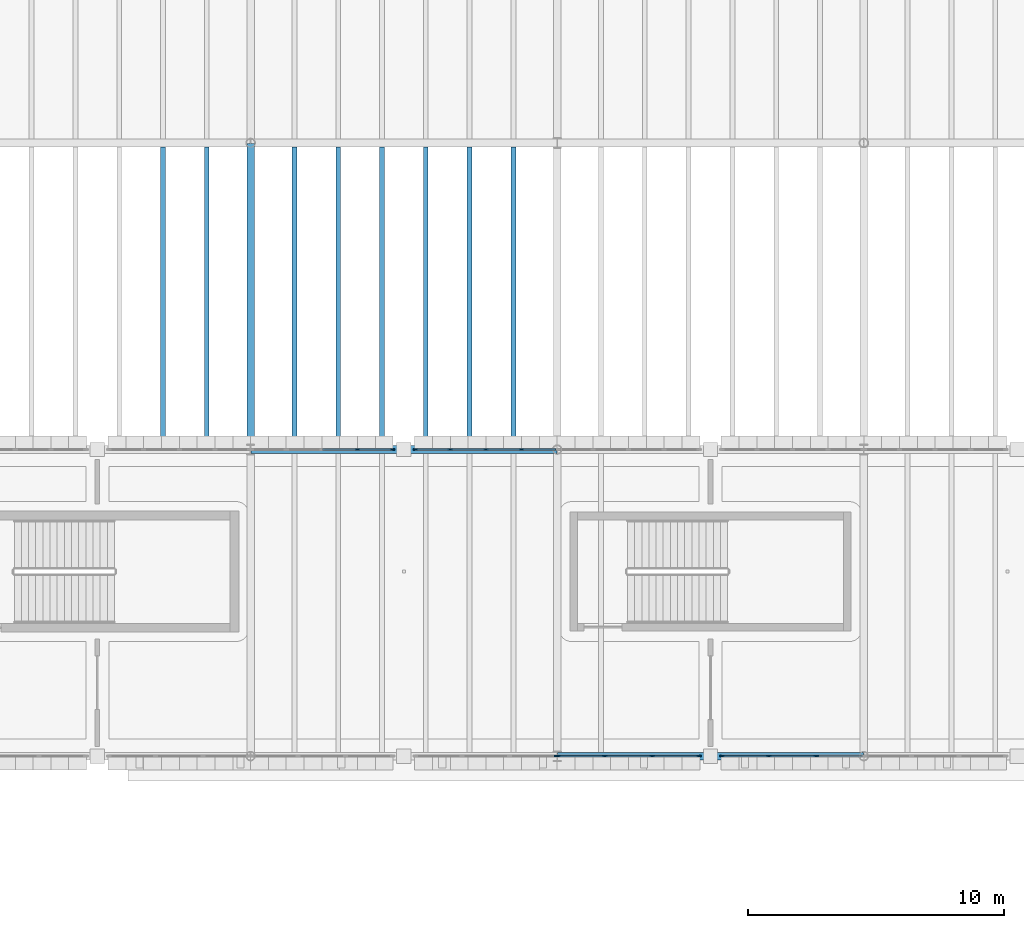
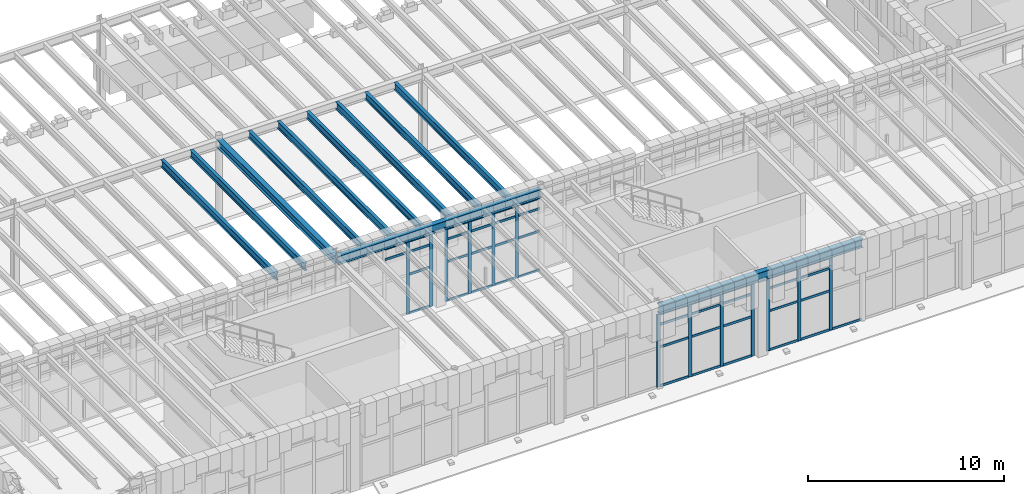
# One storey, part 32 of 100: 57 members, 11 beams, 5 elements without a shape of their own.
"""IFC4 building model written with IfcOpenShell, lengths in metres."""

from ifc_helpers import new_model, si_unit, direction, frame, origin, origin_2d, place, context, subcontext, project, spatial, rectangle, i_section, extrude, material, layer, layer_set, material_profile, profile_set, type_object, element, aggregate, save


model = new_model("IFC4")

# Units and contexts
model_context = context("Model", 3, precision=1e-05, world=origin(), true_north=direction((0.0, 1.0)))
body_context = subcontext(model_context, "Body", "Model", "MODEL_VIEW")
ifc_project = project(units=[si_unit("LENGTHUNIT", "METRE"), si_unit("AREAUNIT", "SQUARE_METRE"), si_unit("VOLUMEUNIT", "CUBIC_METRE"), si_unit("PLANEANGLEUNIT", "RADIAN"), si_unit("MASSUNIT", "GRAM", prefix="KILO")], contexts=[model_context])

# Site, building, storey
site_placement = place(None, origin())
site = spatial("IfcSite", under=ifc_project, at=site_placement, CompositionType="ELEMENT")
building_placement = place(site_placement, origin())
building = spatial("IfcBuilding", under=site, at=building_placement, Name="Zlatogorsky Bluff Art Gallery", CompositionType="ELEMENT")
storey_placement = place(building_placement, frame((0.0, 0.0, 5.39990234375)))
storey = spatial("IfcBuildingStorey", under=building, at=storey_placement, Name="L01", CompositionType="ELEMENT", Elevation=5.39990234375)

# Beams
ifc_material_1 = material(Name="Steel S355", Category="steel")
ifc_material_profile_1 = material_profile(ifc_material_1, i_section(OverallWidth=0.300048828125, OverallDepth=0.5400390625, WebThickness=0.012451171875, FlangeThickness=0.02392578125, FilletRadius=0.027099609375, at=origin_2d()), Name="HEA 550")
ifc_profile_set_1 = profile_set([ifc_material_profile_1], Name="Steel S355")
beam_type_1 = type_object("IfcBeamType", Name="Beam BM-06 HEA 550", PredefinedType="BEAM", material=ifc_profile_set_1)
for number, where, z_axis, x_axis, name in (
    (1, (84.014892578125, 96.0, 4.840087890625), (1.0, 0.0, 0.0), (0.0, 1.0, 0.0), "Primary girder BM-06 L01 H-J/10"),
    (2, (96.014892578125, 84.0, 4.840087890625), (1.0, 0.0, 0.0), (0.0, 1.0, 0.0), "Primary girder BM-06 L01 J-K/9"),
):
    element("IfcBeam", number, at=place(storey_placement, frame(where, z_axis=z_axis, x_axis=x_axis)), inside=storey, type_object=beam_type_1, Name=name, PredefinedType="BEAM", context=body_context, shape_type="SweptSolid", body=[
        extrude(i_section(OverallWidth=0.300048828125, OverallDepth=0.5400390625, WebThickness=0.012451171875, FlangeThickness=0.02392578125, FilletRadius=0.027099609375, at=origin_2d()), origin(), (0.0, 0.0, 1.0), 11.97021484375),
    ])
ifc_material_profile_2 = material_profile(ifc_material_1, i_section(OverallWidth=0.300048828125, OverallDepth=0.489990234375, WebThickness=0.011962890625, FlangeThickness=0.02294921875, FilletRadius=0.027099609375, at=origin_2d()), Name="HEA 500")
ifc_profile_set_2 = profile_set([ifc_material_profile_2], Name="Steel S355")
beam_type_2 = type_object("IfcBeamType", Name="Beam BM-07 HEA 500", PredefinedType="BEAM", material=ifc_profile_set_2)
beam_placement = place(storey_placement, frame((84.0, 96.014892578125, 4.864990234375), z_axis=(0.0, 1.0, 0.0), x_axis=(-1.0, 0.0, 0.0)))
element("IfcBeam", 3, at=beam_placement, inside=storey, type_object=beam_type_2, Name="Primary girder BM-07 L01 H/10-11", PredefinedType="BEAM", context=body_context, shape_type="SweptSolid", body=[
    extrude(i_section(OverallWidth=0.300048828125, OverallDepth=0.489990234375, WebThickness=0.011962890625, FlangeThickness=0.02294921875, FilletRadius=0.027099609375, at=origin_2d()), origin(), (0.0, 0.0, 1.0), 11.97021484375),
])
ifc_material_profile_3 = material_profile(ifc_material_1, i_section(OverallWidth=0.18994140625, OverallDepth=0.449951171875, WebThickness=0.009521484375, FlangeThickness=0.0146484375, FilletRadius=0.02099609375, at=origin_2d()), Name="IPE 450")
ifc_profile_set_3 = profile_set([ifc_material_profile_3], Name="Steel S355")
beam_type_3 = type_object("IfcBeamType", Name="Beam JS-06 IPE 450", PredefinedType="JOIST", material=ifc_profile_set_3)
for number, where, z_axis, x_axis, name in (
    (4, (80.571533203125, 96.14990234375, 4.885009765625), (0.0, 1.0, 0.0), (-1.0, 0.0, 0.0), "Composite floor joist JS-06 L01 06.09.5"),
    (5, (82.28564453125, 96.14990234375, 4.885009765625), (0.0, 1.0, 0.0), (-1.0, 0.0, 0.0), "Composite floor joist JS-06 L01 06.09.6"),
    (6, (85.71435546875, 96.14990234375, 4.885009765625), (0.0, 1.0, 0.0), (-1.0, 0.0, 0.0), "Composite floor joist JS-06 L01 07.09.1"),
    (7, (87.428466796875, 96.14990234375, 4.885009765625), (0.0, 1.0, 0.0), (-1.0, 0.0, 0.0), "Composite floor joist JS-06 L01 07.09.2"),
    (8, (89.142822265625, 96.14990234375, 4.885009765625), (0.0, 1.0, 0.0), (-1.0, 0.0, 0.0), "Composite floor joist JS-06 L01 07.09.3"),
    (9, (90.857177734375, 96.14990234375, 4.885009765625), (0.0, 1.0, 0.0), (-1.0, 0.0, 0.0), "Composite floor joist JS-06 L01 07.09.4"),
    (10, (92.571533203125, 96.14990234375, 4.885009765625), (0.0, 1.0, 0.0), (-1.0, 0.0, 0.0), "Composite floor joist JS-06 L01 07.09.5"),
    (11, (94.28564453125, 96.14990234375, 4.885009765625), (0.0, 1.0, 0.0), (-1.0, 0.0, 0.0), "Composite floor joist JS-06 L01 07.09.6"),
):
    element("IfcBeam", number, at=place(storey_placement, frame(where, z_axis=z_axis, x_axis=x_axis)), inside=storey, type_object=beam_type_3, Name=name, PredefinedType="JOIST", context=body_context, shape_type="SweptSolid", body=[
        extrude(i_section(OverallWidth=0.18994140625, OverallDepth=0.449951171875, WebThickness=0.009521484375, FlangeThickness=0.0146484375, FilletRadius=0.02099609375, at=origin_2d()), origin(), (0.0, 0.0, 1.0), 11.7001953125),
    ])

# Curtain wall, member
ifc_material_2 = material(Name="Anodised Bronze Aluminium and Low-Iron Triple Glazing", Category="aluminium")
ifc_layer_1 = layer(ifc_material_2, 0.219970703125)
ifc_layer_set_1 = layer_set([ifc_layer_1], Name="Curtain Wall CW-04")
curtain_wall_type_1 = type_object("IfcCurtainWallType", Name="Curtain Wall CW-04", PredefinedType="USERDEFINED", material=ifc_layer_set_1)
curtain_wall_1_placement = place(storey_placement, origin())
curtain_wall_1 = element("IfcCurtainWall", 12, at=curtain_wall_1_placement, inside=storey, type_object=curtain_wall_type_1, Name="Unitised curtain wall CW-04 L01 S 7.8-B", ObjectType="CURTAIN WALL", PredefinedType="USERDEFINED")
ifc_material_3 = material(Name="Anodised Bronze Aluminium", Category="aluminium")
ifc_material_profile_4 = material_profile(ifc_material_3, rectangle(XDim=0.06494140625, YDim=0.179931640625, at=origin_2d()), Name="ALU MULLION 65x180")
ifc_profile_set_4 = profile_set([ifc_material_profile_4], Name="Anodised Bronze Aluminium")
member_type_1 = type_object("IfcMemberType", Name="Curtain Mullion ML-01", PredefinedType="MULLION", material=ifc_profile_set_4)
member_1_placement = place(storey_placement, frame((95.967529296875, 84.0, 0.0), z_axis=(0.0, 0.0, 1.0), x_axis=(0.0, 1.0, 0.0)))
member_1 = element("IfcMember", 13, at=member_1_placement, type_object=member_type_1, Name="CW-04 mullion 4", PredefinedType="MULLION", context=body_context, shape_type="SweptSolid", body=[
    extrude(rectangle(XDim=0.06494140625, YDim=0.179931640625, at=origin_2d()), origin(), (0.0, 0.0, 1.0), 4.530029296875),
])
aggregate(curtain_wall_1, [member_1])

# Curtain wall, members
ifc_layer_2 = layer(ifc_material_2, 0.199951171875)
ifc_layer_set_2 = layer_set([ifc_layer_2], Name="Curtain Wall CW-02")
curtain_wall_type_2 = type_object("IfcCurtainWallType", Name="Curtain Wall CW-02", PredefinedType="USERDEFINED", material=ifc_layer_set_2)
curtain_wall_2_placement = place(storey_placement, origin())
curtain_wall_2 = element("IfcCurtainWall", 14, at=curtain_wall_2_placement, inside=storey, type_object=curtain_wall_type_2, Name="Unitised curtain wall CW-02 L01 N 7.8-A", ObjectType="CURTAIN WALL", PredefinedType="USERDEFINED")
member_2_placement = place(storey_placement, frame((94.60498046875, 96.0, 0.0), z_axis=(0.0, 0.0, 1.0), x_axis=(0.0, -1.0, 0.0)))
member_2 = element("IfcMember", 15, at=member_2_placement, type_object=member_type_1, Name="CW-02 mullion 2", PredefinedType="MULLION", context=body_context, shape_type="SweptSolid", body=[
    extrude(rectangle(XDim=0.06494140625, YDim=0.179931640625, at=origin_2d()), origin(), (0.0, 0.0, 1.0), 4.530029296875),
])
member_3_placement = place(storey_placement, frame((93.2099609375, 96.0, 0.0), z_axis=(0.0, 0.0, 1.0), x_axis=(0.0, -1.0, 0.0)))
member_3 = element("IfcMember", 16, at=member_3_placement, type_object=member_type_1, Name="CW-02 mullion 3", PredefinedType="MULLION", context=body_context, shape_type="SweptSolid", body=[
    extrude(rectangle(XDim=0.06494140625, YDim=0.179931640625, at=origin_2d()), origin(), (0.0, 0.0, 1.0), 4.530029296875),
])
member_4_placement = place(storey_placement, frame((91.81494140625, 96.0, 0.0), z_axis=(0.0, 0.0, 1.0), x_axis=(0.0, -1.0, 0.0)))
member_4 = element("IfcMember", 17, at=member_4_placement, type_object=member_type_1, Name="CW-02 mullion 4", PredefinedType="MULLION", context=body_context, shape_type="SweptSolid", body=[
    extrude(rectangle(XDim=0.06494140625, YDim=0.179931640625, at=origin_2d()), origin(), (0.0, 0.0, 1.0), 4.530029296875),
])
member_5_placement = place(storey_placement, frame((90.452392578125, 96.0, 0.0), z_axis=(0.0, 0.0, 1.0), x_axis=(0.0, -1.0, 0.0)))
member_5 = element("IfcMember", 18, at=member_5_placement, type_object=member_type_1, Name="CW-02 mullion 5", PredefinedType="MULLION", context=body_context, shape_type="SweptSolid", body=[
    extrude(rectangle(XDim=0.06494140625, YDim=0.179931640625, at=origin_2d()), origin(), (0.0, 0.0, 1.0), 4.530029296875),
])

curtain_wall_3_placement = place(storey_placement, origin())
curtain_wall_3 = element("IfcCurtainWall", 19, at=curtain_wall_3_placement, inside=storey, type_object=curtain_wall_type_2, Name="Unitised curtain wall CW-02 L01 N 7.8-B", ObjectType="CURTAIN WALL", PredefinedType="USERDEFINED")
member_6_placement = place(storey_placement, frame((89.547607421875, 96.0, 0.0), z_axis=(0.0, 0.0, 1.0), x_axis=(0.0, -1.0, 0.0)))
member_6 = element("IfcMember", 20, at=member_6_placement, type_object=member_type_1, Name="CW-02 mullion 1", PredefinedType="MULLION", context=body_context, shape_type="SweptSolid", body=[
    extrude(rectangle(XDim=0.06494140625, YDim=0.179931640625, at=origin_2d()), origin(), (0.0, 0.0, 1.0), 4.530029296875),
])
member_7_placement = place(storey_placement, frame((88.18505859375, 96.0, 0.0), z_axis=(0.0, 0.0, 1.0), x_axis=(0.0, -1.0, 0.0)))
member_7 = element("IfcMember", 21, at=member_7_placement, type_object=member_type_1, Name="CW-02 mullion 2", PredefinedType="MULLION", context=body_context, shape_type="SweptSolid", body=[
    extrude(rectangle(XDim=0.06494140625, YDim=0.179931640625, at=origin_2d()), origin(), (0.0, 0.0, 1.0), 4.530029296875),
])

curtain_wall_4_placement = place(storey_placement, origin())
curtain_wall_4 = element("IfcCurtainWall", 22, at=curtain_wall_4_placement, inside=storey, type_object=curtain_wall_type_1, Name="Unitised curtain wall CW-04 L01 S 8.8-A", ObjectType="CURTAIN WALL", PredefinedType="USERDEFINED")
member_8_placement = place(storey_placement, frame((96.032470703125, 84.0, 0.0), z_axis=(0.0, 0.0, 1.0), x_axis=(0.0, 1.0, 0.0)))
member_8 = element("IfcMember", 23, at=member_8_placement, type_object=member_type_1, Name="CW-04 mullion 1", PredefinedType="MULLION", context=body_context, shape_type="SweptSolid", body=[
    extrude(rectangle(XDim=0.06494140625, YDim=0.179931640625, at=origin_2d()), origin(), (0.0, 0.0, 1.0), 4.530029296875),
])
member_9_placement = place(storey_placement, frame((97.860107421875, 84.0, 0.0), z_axis=(0.0, 0.0, 1.0), x_axis=(0.0, 1.0, 0.0)))
member_9 = element("IfcMember", 24, at=member_9_placement, type_object=member_type_1, Name="CW-04 mullion 2", PredefinedType="MULLION", context=body_context, shape_type="SweptSolid", body=[
    extrude(rectangle(XDim=0.06494140625, YDim=0.179931640625, at=origin_2d()), origin(), (0.0, 0.0, 1.0), 4.530029296875),
])
member_10_placement = place(storey_placement, frame((99.719970703125, 84.0, 0.0), z_axis=(0.0, 0.0, 1.0), x_axis=(0.0, 1.0, 0.0)))
member_10 = element("IfcMember", 25, at=member_10_placement, type_object=member_type_1, Name="CW-04 mullion 3", PredefinedType="MULLION", context=body_context, shape_type="SweptSolid", body=[
    extrude(rectangle(XDim=0.06494140625, YDim=0.179931640625, at=origin_2d()), origin(), (0.0, 0.0, 1.0), 4.530029296875),
])
member_11_placement = place(storey_placement, frame((101.547607421875, 84.0, 0.0), z_axis=(0.0, 0.0, 1.0), x_axis=(0.0, 1.0, 0.0)))
member_11 = element("IfcMember", 26, at=member_11_placement, type_object=member_type_1, Name="CW-04 mullion 4", PredefinedType="MULLION", context=body_context, shape_type="SweptSolid", body=[
    extrude(rectangle(XDim=0.06494140625, YDim=0.179931640625, at=origin_2d()), origin(), (0.0, 0.0, 1.0), 4.530029296875),
])

curtain_wall_5_placement = place(storey_placement, origin())
curtain_wall_5 = element("IfcCurtainWall", 27, at=curtain_wall_5_placement, inside=storey, type_object=curtain_wall_type_1, Name="Unitised curtain wall CW-04 L01 S 8.8-B", ObjectType="CURTAIN WALL", PredefinedType="USERDEFINED")
member_12_placement = place(storey_placement, frame((102.452392578125, 84.0, 0.0), z_axis=(0.0, 0.0, 1.0), x_axis=(0.0, 1.0, 0.0)))
member_12 = element("IfcMember", 28, at=member_12_placement, type_object=member_type_1, Name="CW-04 mullion 1", PredefinedType="MULLION", context=body_context, shape_type="SweptSolid", body=[
    extrude(rectangle(XDim=0.06494140625, YDim=0.179931640625, at=origin_2d()), origin(), (0.0, 0.0, 1.0), 4.530029296875),
])
member_13_placement = place(storey_placement, frame((104.280029296875, 84.0, 0.0), z_axis=(0.0, 0.0, 1.0), x_axis=(0.0, 1.0, 0.0)))
member_13 = element("IfcMember", 29, at=member_13_placement, type_object=member_type_1, Name="CW-04 mullion 2", PredefinedType="MULLION", context=body_context, shape_type="SweptSolid", body=[
    extrude(rectangle(XDim=0.06494140625, YDim=0.179931640625, at=origin_2d()), origin(), (0.0, 0.0, 1.0), 4.530029296875),
])
member_14_placement = place(storey_placement, frame((106.139892578125, 84.0, 0.0), z_axis=(0.0, 0.0, 1.0), x_axis=(0.0, 1.0, 0.0)))
member_14 = element("IfcMember", 30, at=member_14_placement, type_object=member_type_1, Name="CW-04 mullion 3", PredefinedType="MULLION", context=body_context, shape_type="SweptSolid", body=[
    extrude(rectangle(XDim=0.06494140625, YDim=0.179931640625, at=origin_2d()), origin(), (0.0, 0.0, 1.0), 4.530029296875),
])

# Member
ifc_material_profile_5 = material_profile(ifc_material_3, rectangle(XDim=0.06494140625, YDim=0.139892578125, at=origin_2d()), Name="ALU TRANSOM 65x140")
ifc_profile_set_5 = profile_set([ifc_material_profile_5], Name="Anodised Bronze Aluminium")
member_type_2 = type_object("IfcMemberType", Name="Curtain Transom TR-01", PredefinedType="USERDEFINED", material=ifc_profile_set_5)
member_15_placement = place(storey_placement, frame((95.93505859375, 96.0, 0.03271484375), z_axis=(-1.0, 0.0, 0.0), x_axis=(0.0, -1.0, 0.0)))
member_15 = element("IfcMember", 31, at=member_15_placement, type_object=member_type_2, Name="CW-02 transom 1.1", ObjectType="TRANSOM", PredefinedType="USERDEFINED", context=body_context, shape_type="SweptSolid", body=[
    extrude(rectangle(XDim=0.06494140625, YDim=0.139892578125, at=origin_2d()), origin(), (0.0, 0.0, 1.0), 1.297607421875),
])

member_16_placement = place(storey_placement, frame((95.93505859375, 96.0, 2.4501953125), z_axis=(-1.0, 0.0, 0.0), x_axis=(0.0, -1.0, 0.0)))
member_16 = element("IfcMember", 32, at=member_16_placement, type_object=member_type_2, Name="CW-02 transom 1.2", ObjectType="TRANSOM", PredefinedType="USERDEFINED", context=body_context, shape_type="SweptSolid", body=[
    extrude(rectangle(XDim=0.06494140625, YDim=0.139892578125, at=origin_2d()), origin(), (0.0, 0.0, 1.0), 1.297607421875),
])

member_17_placement = place(storey_placement, frame((95.93505859375, 96.0, 3.85009765625), z_axis=(-1.0, 0.0, 0.0), x_axis=(0.0, -1.0, 0.0)))
member_17 = element("IfcMember", 33, at=member_17_placement, type_object=member_type_2, Name="CW-02 transom 1.3", ObjectType="TRANSOM", PredefinedType="USERDEFINED", context=body_context, shape_type="SweptSolid", body=[
    extrude(rectangle(XDim=0.06494140625, YDim=0.139892578125, at=origin_2d()), origin(), (0.0, 0.0, 1.0), 1.297607421875),
])

member_18_placement = place(storey_placement, frame((95.93505859375, 96.0, 4.49755859375), z_axis=(-1.0, 0.0, 0.0), x_axis=(0.0, -1.0, 0.0)))
member_18 = element("IfcMember", 34, at=member_18_placement, type_object=member_type_2, Name="CW-02 transom 1.4", ObjectType="TRANSOM", PredefinedType="USERDEFINED", context=body_context, shape_type="SweptSolid", body=[
    extrude(rectangle(XDim=0.06494140625, YDim=0.139892578125, at=origin_2d()), origin(), (0.0, 0.0, 1.0), 1.297607421875),
])

member_19_placement = place(storey_placement, frame((94.572509765625, 96.0, 0.03271484375), z_axis=(-1.0, 0.0, 0.0), x_axis=(0.0, -1.0, 0.0)))
member_19 = element("IfcMember", 35, at=member_19_placement, type_object=member_type_2, Name="CW-02 transom 2.1", ObjectType="TRANSOM", PredefinedType="USERDEFINED", context=body_context, shape_type="SweptSolid", body=[
    extrude(rectangle(XDim=0.06494140625, YDim=0.139892578125, at=origin_2d()), origin(), (0.0, 0.0, 1.0), 1.330078125),
])

member_20_placement = place(storey_placement, frame((94.572509765625, 96.0, 2.4501953125), z_axis=(-1.0, 0.0, 0.0), x_axis=(0.0, -1.0, 0.0)))
member_20 = element("IfcMember", 36, at=member_20_placement, type_object=member_type_2, Name="CW-02 transom 2.2", ObjectType="TRANSOM", PredefinedType="USERDEFINED", context=body_context, shape_type="SweptSolid", body=[
    extrude(rectangle(XDim=0.06494140625, YDim=0.139892578125, at=origin_2d()), origin(), (0.0, 0.0, 1.0), 1.330078125),
])

member_21_placement = place(storey_placement, frame((94.572509765625, 96.0, 3.85009765625), z_axis=(-1.0, 0.0, 0.0), x_axis=(0.0, -1.0, 0.0)))
member_21 = element("IfcMember", 37, at=member_21_placement, type_object=member_type_2, Name="CW-02 transom 2.3", ObjectType="TRANSOM", PredefinedType="USERDEFINED", context=body_context, shape_type="SweptSolid", body=[
    extrude(rectangle(XDim=0.06494140625, YDim=0.139892578125, at=origin_2d()), origin(), (0.0, 0.0, 1.0), 1.330078125),
])

member_22_placement = place(storey_placement, frame((94.572509765625, 96.0, 4.49755859375), z_axis=(-1.0, 0.0, 0.0), x_axis=(0.0, -1.0, 0.0)))
member_22 = element("IfcMember", 38, at=member_22_placement, type_object=member_type_2, Name="CW-02 transom 2.4", ObjectType="TRANSOM", PredefinedType="USERDEFINED", context=body_context, shape_type="SweptSolid", body=[
    extrude(rectangle(XDim=0.06494140625, YDim=0.139892578125, at=origin_2d()), origin(), (0.0, 0.0, 1.0), 1.330078125),
])

member_23_placement = place(storey_placement, frame((93.177490234375, 96.0, 0.03271484375), z_axis=(-1.0, 0.0, 0.0), x_axis=(0.0, -1.0, 0.0)))
member_23 = element("IfcMember", 39, at=member_23_placement, type_object=member_type_2, Name="CW-02 transom 3.1", ObjectType="TRANSOM", PredefinedType="USERDEFINED", context=body_context, shape_type="SweptSolid", body=[
    extrude(rectangle(XDim=0.06494140625, YDim=0.139892578125, at=origin_2d()), origin(), (0.0, 0.0, 1.0), 1.330078125),
])

member_24_placement = place(storey_placement, frame((93.177490234375, 96.0, 2.4501953125), z_axis=(-1.0, 0.0, 0.0), x_axis=(0.0, -1.0, 0.0)))
member_24 = element("IfcMember", 40, at=member_24_placement, type_object=member_type_2, Name="CW-02 transom 3.2", ObjectType="TRANSOM", PredefinedType="USERDEFINED", context=body_context, shape_type="SweptSolid", body=[
    extrude(rectangle(XDim=0.06494140625, YDim=0.139892578125, at=origin_2d()), origin(), (0.0, 0.0, 1.0), 1.330078125),
])

member_25_placement = place(storey_placement, frame((93.177490234375, 96.0, 3.85009765625), z_axis=(-1.0, 0.0, 0.0), x_axis=(0.0, -1.0, 0.0)))
member_25 = element("IfcMember", 41, at=member_25_placement, type_object=member_type_2, Name="CW-02 transom 3.3", ObjectType="TRANSOM", PredefinedType="USERDEFINED", context=body_context, shape_type="SweptSolid", body=[
    extrude(rectangle(XDim=0.06494140625, YDim=0.139892578125, at=origin_2d()), origin(), (0.0, 0.0, 1.0), 1.330078125),
])

member_26_placement = place(storey_placement, frame((93.177490234375, 96.0, 4.49755859375), z_axis=(-1.0, 0.0, 0.0), x_axis=(0.0, -1.0, 0.0)))
member_26 = element("IfcMember", 42, at=member_26_placement, type_object=member_type_2, Name="CW-02 transom 3.4", ObjectType="TRANSOM", PredefinedType="USERDEFINED", context=body_context, shape_type="SweptSolid", body=[
    extrude(rectangle(XDim=0.06494140625, YDim=0.139892578125, at=origin_2d()), origin(), (0.0, 0.0, 1.0), 1.330078125),
])

member_27_placement = place(storey_placement, frame((91.782470703125, 96.0, 0.03271484375), z_axis=(-1.0, 0.0, 0.0), x_axis=(0.0, -1.0, 0.0)))
member_27 = element("IfcMember", 43, at=member_27_placement, type_object=member_type_2, Name="CW-02 transom 4.1", ObjectType="TRANSOM", PredefinedType="USERDEFINED", context=body_context, shape_type="SweptSolid", body=[
    extrude(rectangle(XDim=0.06494140625, YDim=0.139892578125, at=origin_2d()), origin(), (0.0, 0.0, 1.0), 1.29736328125),
])

member_28_placement = place(storey_placement, frame((91.782470703125, 96.0, 2.4501953125), z_axis=(-1.0, 0.0, 0.0), x_axis=(0.0, -1.0, 0.0)))
member_28 = element("IfcMember", 44, at=member_28_placement, type_object=member_type_2, Name="CW-02 transom 4.2", ObjectType="TRANSOM", PredefinedType="USERDEFINED", context=body_context, shape_type="SweptSolid", body=[
    extrude(rectangle(XDim=0.06494140625, YDim=0.139892578125, at=origin_2d()), origin(), (0.0, 0.0, 1.0), 1.29736328125),
])

member_29_placement = place(storey_placement, frame((91.782470703125, 96.0, 3.85009765625), z_axis=(-1.0, 0.0, 0.0), x_axis=(0.0, -1.0, 0.0)))
member_29 = element("IfcMember", 45, at=member_29_placement, type_object=member_type_2, Name="CW-02 transom 4.3", ObjectType="TRANSOM", PredefinedType="USERDEFINED", context=body_context, shape_type="SweptSolid", body=[
    extrude(rectangle(XDim=0.06494140625, YDim=0.139892578125, at=origin_2d()), origin(), (0.0, 0.0, 1.0), 1.29736328125),
])

member_30_placement = place(storey_placement, frame((91.782470703125, 96.0, 4.49755859375), z_axis=(-1.0, 0.0, 0.0), x_axis=(0.0, -1.0, 0.0)))
member_30 = element("IfcMember", 46, at=member_30_placement, type_object=member_type_2, Name="CW-02 transom 4.4", ObjectType="TRANSOM", PredefinedType="USERDEFINED", context=body_context, shape_type="SweptSolid", body=[
    extrude(rectangle(XDim=0.06494140625, YDim=0.139892578125, at=origin_2d()), origin(), (0.0, 0.0, 1.0), 1.29736328125),
])

aggregate(curtain_wall_2, [member_2, member_3, member_4, member_5, member_15, member_16, member_17, member_18, member_19, member_20, member_21, member_22, member_23, member_24, member_25, member_26, member_27, member_28, member_29, member_30])

member_31_placement = place(storey_placement, frame((89.514892578125, 96.0, 0.03271484375), z_axis=(-1.0, 0.0, 0.0), x_axis=(0.0, -1.0, 0.0)))
member_31 = element("IfcMember", 47, at=member_31_placement, type_object=member_type_2, Name="CW-02 transom 1.1", ObjectType="TRANSOM", PredefinedType="USERDEFINED", context=body_context, shape_type="SweptSolid", body=[
    extrude(rectangle(XDim=0.06494140625, YDim=0.139892578125, at=origin_2d()), origin(), (0.0, 0.0, 1.0), 1.29736328125),
])

member_32_placement = place(storey_placement, frame((89.514892578125, 96.0, 2.4501953125), z_axis=(-1.0, 0.0, 0.0), x_axis=(0.0, -1.0, 0.0)))
member_32 = element("IfcMember", 48, at=member_32_placement, type_object=member_type_2, Name="CW-02 transom 1.2", ObjectType="TRANSOM", PredefinedType="USERDEFINED", context=body_context, shape_type="SweptSolid", body=[
    extrude(rectangle(XDim=0.06494140625, YDim=0.139892578125, at=origin_2d()), origin(), (0.0, 0.0, 1.0), 1.29736328125),
])

member_33_placement = place(storey_placement, frame((89.514892578125, 96.0, 3.85009765625), z_axis=(-1.0, 0.0, 0.0), x_axis=(0.0, -1.0, 0.0)))
member_33 = element("IfcMember", 49, at=member_33_placement, type_object=member_type_2, Name="CW-02 transom 1.3", ObjectType="TRANSOM", PredefinedType="USERDEFINED", context=body_context, shape_type="SweptSolid", body=[
    extrude(rectangle(XDim=0.06494140625, YDim=0.139892578125, at=origin_2d()), origin(), (0.0, 0.0, 1.0), 1.29736328125),
])

member_34_placement = place(storey_placement, frame((89.514892578125, 96.0, 4.49755859375), z_axis=(-1.0, 0.0, 0.0), x_axis=(0.0, -1.0, 0.0)))
member_34 = element("IfcMember", 50, at=member_34_placement, type_object=member_type_2, Name="CW-02 transom 1.4", ObjectType="TRANSOM", PredefinedType="USERDEFINED", context=body_context, shape_type="SweptSolid", body=[
    extrude(rectangle(XDim=0.06494140625, YDim=0.139892578125, at=origin_2d()), origin(), (0.0, 0.0, 1.0), 1.29736328125),
])

member_35_placement = place(storey_placement, frame((88.152587890625, 96.0, 3.85009765625), z_axis=(-1.0, 0.0, 0.0), x_axis=(0.0, -1.0, 0.0)))
member_35 = element("IfcMember", 51, at=member_35_placement, type_object=member_type_2, Name="CW-02 transom 2.3", ObjectType="TRANSOM", PredefinedType="USERDEFINED", context=body_context, shape_type="SweptSolid", body=[
    extrude(rectangle(XDim=0.06494140625, YDim=0.139892578125, at=origin_2d()), origin(), (0.0, 0.0, 1.0), 1.330078125),
])

member_36_placement = place(storey_placement, frame((88.152587890625, 96.0, 4.49755859375), z_axis=(-1.0, 0.0, 0.0), x_axis=(0.0, -1.0, 0.0)))
member_36 = element("IfcMember", 52, at=member_36_placement, type_object=member_type_2, Name="CW-02 transom 2.4", ObjectType="TRANSOM", PredefinedType="USERDEFINED", context=body_context, shape_type="SweptSolid", body=[
    extrude(rectangle(XDim=0.06494140625, YDim=0.139892578125, at=origin_2d()), origin(), (0.0, 0.0, 1.0), 1.330078125),
])

aggregate(curtain_wall_3, [member_6, member_7, member_31, member_32, member_33, member_34, member_35, member_36])

member_37_placement = place(storey_placement, frame((96.06494140625, 84.0, 0.03271484375), z_axis=(1.0, 0.0, 0.0), x_axis=(0.0, 1.0, 0.0)))
member_37 = element("IfcMember", 53, at=member_37_placement, type_object=member_type_2, Name="CW-04 transom 1.1", ObjectType="TRANSOM", PredefinedType="USERDEFINED", context=body_context, shape_type="SweptSolid", body=[
    extrude(rectangle(XDim=0.06494140625, YDim=0.139892578125, at=origin_2d()), origin(), (0.0, 0.0, 1.0), 1.762451171875),
])

member_38_placement = place(storey_placement, frame((96.06494140625, 84.0, 2.4501953125), z_axis=(1.0, 0.0, 0.0), x_axis=(0.0, 1.0, 0.0)))
member_38 = element("IfcMember", 54, at=member_38_placement, type_object=member_type_2, Name="CW-04 transom 1.2", ObjectType="TRANSOM", PredefinedType="USERDEFINED", context=body_context, shape_type="SweptSolid", body=[
    extrude(rectangle(XDim=0.06494140625, YDim=0.139892578125, at=origin_2d()), origin(), (0.0, 0.0, 1.0), 1.762451171875),
])

member_39_placement = place(storey_placement, frame((96.06494140625, 84.0, 3.85009765625), z_axis=(1.0, 0.0, 0.0), x_axis=(0.0, 1.0, 0.0)))
member_39 = element("IfcMember", 55, at=member_39_placement, type_object=member_type_2, Name="CW-04 transom 1.3", ObjectType="TRANSOM", PredefinedType="USERDEFINED", context=body_context, shape_type="SweptSolid", body=[
    extrude(rectangle(XDim=0.06494140625, YDim=0.139892578125, at=origin_2d()), origin(), (0.0, 0.0, 1.0), 1.762451171875),
])

member_40_placement = place(storey_placement, frame((96.06494140625, 84.0, 4.49755859375), z_axis=(1.0, 0.0, 0.0), x_axis=(0.0, 1.0, 0.0)))
member_40 = element("IfcMember", 56, at=member_40_placement, type_object=member_type_2, Name="CW-04 transom 1.4", ObjectType="TRANSOM", PredefinedType="USERDEFINED", context=body_context, shape_type="SweptSolid", body=[
    extrude(rectangle(XDim=0.06494140625, YDim=0.139892578125, at=origin_2d()), origin(), (0.0, 0.0, 1.0), 1.762451171875),
])

member_41_placement = place(storey_placement, frame((97.892578125, 84.0, 0.03271484375), z_axis=(1.0, 0.0, 0.0), x_axis=(0.0, 1.0, 0.0)))
member_41 = element("IfcMember", 57, at=member_41_placement, type_object=member_type_2, Name="CW-04 transom 2.1", ObjectType="TRANSOM", PredefinedType="USERDEFINED", context=body_context, shape_type="SweptSolid", body=[
    extrude(rectangle(XDim=0.06494140625, YDim=0.139892578125, at=origin_2d()), origin(), (0.0, 0.0, 1.0), 1.794921875),
])

member_42_placement = place(storey_placement, frame((97.892578125, 84.0, 2.4501953125), z_axis=(1.0, 0.0, 0.0), x_axis=(0.0, 1.0, 0.0)))
member_42 = element("IfcMember", 58, at=member_42_placement, type_object=member_type_2, Name="CW-04 transom 2.2", ObjectType="TRANSOM", PredefinedType="USERDEFINED", context=body_context, shape_type="SweptSolid", body=[
    extrude(rectangle(XDim=0.06494140625, YDim=0.139892578125, at=origin_2d()), origin(), (0.0, 0.0, 1.0), 1.794921875),
])

member_43_placement = place(storey_placement, frame((97.892578125, 84.0, 3.85009765625), z_axis=(1.0, 0.0, 0.0), x_axis=(0.0, 1.0, 0.0)))
member_43 = element("IfcMember", 59, at=member_43_placement, type_object=member_type_2, Name="CW-04 transom 2.3", ObjectType="TRANSOM", PredefinedType="USERDEFINED", context=body_context, shape_type="SweptSolid", body=[
    extrude(rectangle(XDim=0.06494140625, YDim=0.139892578125, at=origin_2d()), origin(), (0.0, 0.0, 1.0), 1.794921875),
])

member_44_placement = place(storey_placement, frame((97.892578125, 84.0, 4.49755859375), z_axis=(1.0, 0.0, 0.0), x_axis=(0.0, 1.0, 0.0)))
member_44 = element("IfcMember", 60, at=member_44_placement, type_object=member_type_2, Name="CW-04 transom 2.4", ObjectType="TRANSOM", PredefinedType="USERDEFINED", context=body_context, shape_type="SweptSolid", body=[
    extrude(rectangle(XDim=0.06494140625, YDim=0.139892578125, at=origin_2d()), origin(), (0.0, 0.0, 1.0), 1.794921875),
])

member_45_placement = place(storey_placement, frame((99.75244140625, 84.0, 0.03271484375), z_axis=(1.0, 0.0, 0.0), x_axis=(0.0, 1.0, 0.0)))
member_45 = element("IfcMember", 61, at=member_45_placement, type_object=member_type_2, Name="CW-04 transom 3.1", ObjectType="TRANSOM", PredefinedType="USERDEFINED", context=body_context, shape_type="SweptSolid", body=[
    extrude(rectangle(XDim=0.06494140625, YDim=0.139892578125, at=origin_2d()), origin(), (0.0, 0.0, 1.0), 1.762451171875),
])

member_46_placement = place(storey_placement, frame((99.75244140625, 84.0, 2.4501953125), z_axis=(1.0, 0.0, 0.0), x_axis=(0.0, 1.0, 0.0)))
member_46 = element("IfcMember", 62, at=member_46_placement, type_object=member_type_2, Name="CW-04 transom 3.2", ObjectType="TRANSOM", PredefinedType="USERDEFINED", context=body_context, shape_type="SweptSolid", body=[
    extrude(rectangle(XDim=0.06494140625, YDim=0.139892578125, at=origin_2d()), origin(), (0.0, 0.0, 1.0), 1.762451171875),
])

member_47_placement = place(storey_placement, frame((99.75244140625, 84.0, 3.85009765625), z_axis=(1.0, 0.0, 0.0), x_axis=(0.0, 1.0, 0.0)))
member_47 = element("IfcMember", 63, at=member_47_placement, type_object=member_type_2, Name="CW-04 transom 3.3", ObjectType="TRANSOM", PredefinedType="USERDEFINED", context=body_context, shape_type="SweptSolid", body=[
    extrude(rectangle(XDim=0.06494140625, YDim=0.139892578125, at=origin_2d()), origin(), (0.0, 0.0, 1.0), 1.762451171875),
])

member_48_placement = place(storey_placement, frame((99.75244140625, 84.0, 4.49755859375), z_axis=(1.0, 0.0, 0.0), x_axis=(0.0, 1.0, 0.0)))
member_48 = element("IfcMember", 64, at=member_48_placement, type_object=member_type_2, Name="CW-04 transom 3.4", ObjectType="TRANSOM", PredefinedType="USERDEFINED", context=body_context, shape_type="SweptSolid", body=[
    extrude(rectangle(XDim=0.06494140625, YDim=0.139892578125, at=origin_2d()), origin(), (0.0, 0.0, 1.0), 1.762451171875),
])

aggregate(curtain_wall_4, [member_8, member_9, member_10, member_11, member_37, member_38, member_39, member_40, member_41, member_42, member_43, member_44, member_45, member_46, member_47, member_48])

member_49_placement = place(storey_placement, frame((102.485107421875, 84.0, 0.03271484375), z_axis=(1.0, 0.0, 0.0), x_axis=(0.0, 1.0, 0.0)))
member_49 = element("IfcMember", 65, at=member_49_placement, type_object=member_type_2, Name="CW-04 transom 1.1", ObjectType="TRANSOM", PredefinedType="USERDEFINED", context=body_context, shape_type="SweptSolid", body=[
    extrude(rectangle(XDim=0.06494140625, YDim=0.139892578125, at=origin_2d()), origin(), (0.0, 0.0, 1.0), 1.762451171875),
])

member_50_placement = place(storey_placement, frame((102.485107421875, 84.0, 2.4501953125), z_axis=(1.0, 0.0, 0.0), x_axis=(0.0, 1.0, 0.0)))
member_50 = element("IfcMember", 66, at=member_50_placement, type_object=member_type_2, Name="CW-04 transom 1.2", ObjectType="TRANSOM", PredefinedType="USERDEFINED", context=body_context, shape_type="SweptSolid", body=[
    extrude(rectangle(XDim=0.06494140625, YDim=0.139892578125, at=origin_2d()), origin(), (0.0, 0.0, 1.0), 1.762451171875),
])

member_51_placement = place(storey_placement, frame((102.485107421875, 84.0, 3.85009765625), z_axis=(1.0, 0.0, 0.0), x_axis=(0.0, 1.0, 0.0)))
member_51 = element("IfcMember", 67, at=member_51_placement, type_object=member_type_2, Name="CW-04 transom 1.3", ObjectType="TRANSOM", PredefinedType="USERDEFINED", context=body_context, shape_type="SweptSolid", body=[
    extrude(rectangle(XDim=0.06494140625, YDim=0.139892578125, at=origin_2d()), origin(), (0.0, 0.0, 1.0), 1.762451171875),
])

member_52_placement = place(storey_placement, frame((102.485107421875, 84.0, 4.49755859375), z_axis=(1.0, 0.0, 0.0), x_axis=(0.0, 1.0, 0.0)))
member_52 = element("IfcMember", 68, at=member_52_placement, type_object=member_type_2, Name="CW-04 transom 1.4", ObjectType="TRANSOM", PredefinedType="USERDEFINED", context=body_context, shape_type="SweptSolid", body=[
    extrude(rectangle(XDim=0.06494140625, YDim=0.139892578125, at=origin_2d()), origin(), (0.0, 0.0, 1.0), 1.762451171875),
])

member_53_placement = place(storey_placement, frame((104.3125, 84.0, 0.03271484375), z_axis=(1.0, 0.0, 0.0), x_axis=(0.0, 1.0, 0.0)))
member_53 = element("IfcMember", 69, at=member_53_placement, type_object=member_type_2, Name="CW-04 transom 2.1", ObjectType="TRANSOM", PredefinedType="USERDEFINED", context=body_context, shape_type="SweptSolid", body=[
    extrude(rectangle(XDim=0.06494140625, YDim=0.139892578125, at=origin_2d()), origin(), (0.0, 0.0, 1.0), 1.794921875),
])

member_54_placement = place(storey_placement, frame((104.3125, 84.0, 2.4501953125), z_axis=(1.0, 0.0, 0.0), x_axis=(0.0, 1.0, 0.0)))
member_54 = element("IfcMember", 70, at=member_54_placement, type_object=member_type_2, Name="CW-04 transom 2.2", ObjectType="TRANSOM", PredefinedType="USERDEFINED", context=body_context, shape_type="SweptSolid", body=[
    extrude(rectangle(XDim=0.06494140625, YDim=0.139892578125, at=origin_2d()), origin(), (0.0, 0.0, 1.0), 1.794921875),
])

member_55_placement = place(storey_placement, frame((104.3125, 84.0, 3.85009765625), z_axis=(1.0, 0.0, 0.0), x_axis=(0.0, 1.0, 0.0)))
member_55 = element("IfcMember", 71, at=member_55_placement, type_object=member_type_2, Name="CW-04 transom 2.3", ObjectType="TRANSOM", PredefinedType="USERDEFINED", context=body_context, shape_type="SweptSolid", body=[
    extrude(rectangle(XDim=0.06494140625, YDim=0.139892578125, at=origin_2d()), origin(), (0.0, 0.0, 1.0), 1.794921875),
])

member_56_placement = place(storey_placement, frame((104.3125, 84.0, 4.49755859375), z_axis=(1.0, 0.0, 0.0), x_axis=(0.0, 1.0, 0.0)))
member_56 = element("IfcMember", 72, at=member_56_placement, type_object=member_type_2, Name="CW-04 transom 2.4", ObjectType="TRANSOM", PredefinedType="USERDEFINED", context=body_context, shape_type="SweptSolid", body=[
    extrude(rectangle(XDim=0.06494140625, YDim=0.139892578125, at=origin_2d()), origin(), (0.0, 0.0, 1.0), 1.794921875),
])

member_57_placement = place(storey_placement, frame((106.172607421875, 84.0, 0.03271484375), z_axis=(1.0, 0.0, 0.0), x_axis=(0.0, 1.0, 0.0)))
member_57 = element("IfcMember", 73, at=member_57_placement, type_object=member_type_2, Name="CW-04 transom 3.1", ObjectType="TRANSOM", PredefinedType="USERDEFINED", context=body_context, shape_type="SweptSolid", body=[
    extrude(rectangle(XDim=0.06494140625, YDim=0.139892578125, at=origin_2d()), origin(), (0.0, 0.0, 1.0), 1.762451171875),
])

aggregate(curtain_wall_5, [member_12, member_13, member_14, member_49, member_50, member_51, member_52, member_53, member_54, member_55, member_56, member_57])

save(model, "model.ifc")
